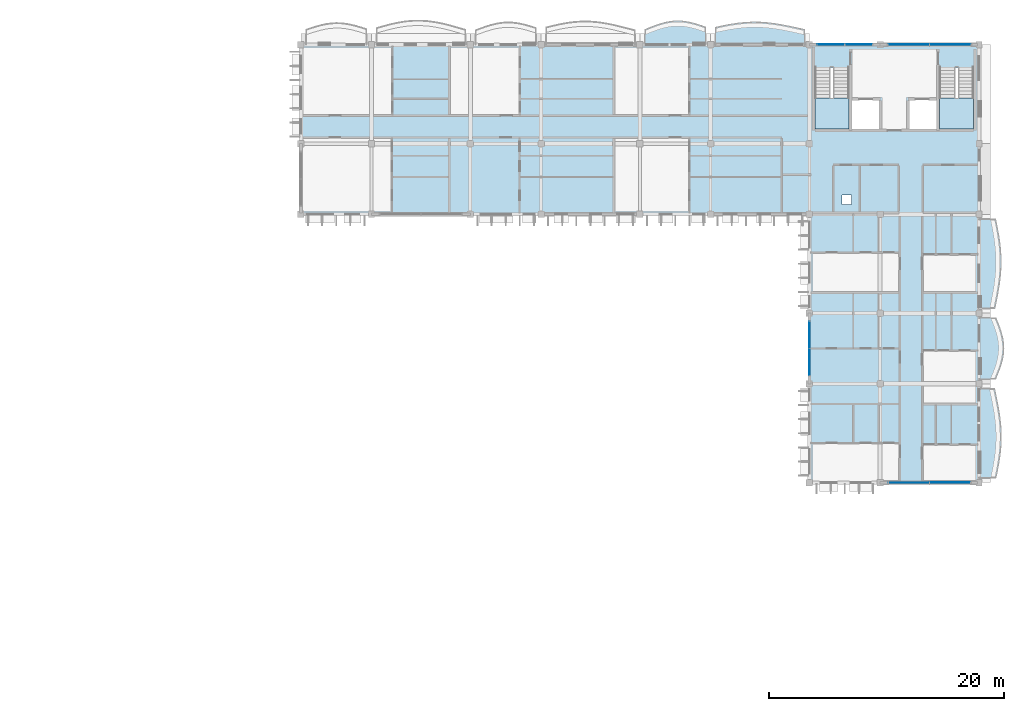
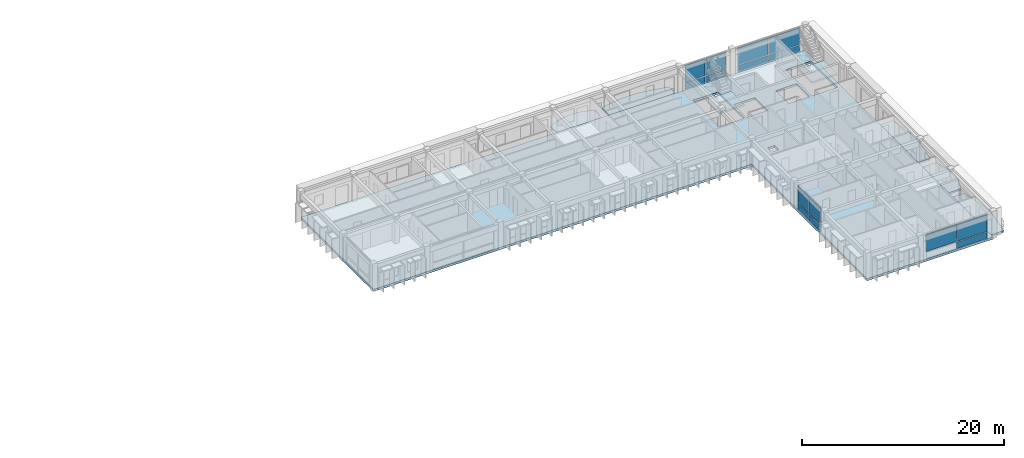
# One storey, part 9 of 31: 15 plates, 8 slabs, 6 elements without a shape of their own.
"""IFC4 building model written with IfcOpenShell, lengths in metres."""

from ifc_helpers import new_model, si_unit, direction, frame, origin, origin_2d, place, context, subcontext, project, spatial, polyline, rectangle, outline, extrude, material, layer, layer_set, type_object, element, aggregate, save


model = new_model("IFC4")

# Units and contexts
model_context = context("Model", 3, precision=1e-05, world=origin(), true_north=direction((0.0, 1.0)))
body_context = subcontext(model_context, "Body", "Model", "MODEL_VIEW")
ifc_project = project(units=[si_unit("LENGTHUNIT", "METRE"), si_unit("AREAUNIT", "SQUARE_METRE"), si_unit("VOLUMEUNIT", "CUBIC_METRE"), si_unit("PLANEANGLEUNIT", "RADIAN"), si_unit("MASSUNIT", "GRAM", prefix="KILO"), si_unit("THERMODYNAMICTEMPERATUREUNIT", "KELVIN")], contexts=[model_context])

# Site, building, storey
site_placement = place(None, origin())
site = spatial("IfcSite", under=ifc_project, at=site_placement, CompositionType="ELEMENT")
building_placement = place(site_placement, origin())
building = spatial("IfcBuilding", under=site, at=building_placement, Name="Thalorik Housing Commons", CompositionType="ELEMENT")
storey_placement = place(building_placement, frame((0.0, 0.0, 37.800048828125)))
storey = spatial("IfcBuildingStorey", under=building, at=storey_placement, Name="L11", CompositionType="ELEMENT", Elevation=37.800048828125)

# Curtain wall, plates
ifc_material_1 = material(Name="Anodised aluminium and solar-control low-E glass", Category="aluminium")
curtain_wall_type_1 = type_object("IfcCurtainWallType", Name="ARC-CW-CORE", PredefinedType="USERDEFINED", material=ifc_material_1)
curtain_wall_1_placement = place(storey_placement, origin())
curtain_wall_1 = element("IfcCurtainWall", 1, at=curtain_wall_1_placement, inside=storey, type_object=curtain_wall_type_1, Name="L11 Curtain Wall CW-CORE-L11-B-119", ObjectType="CURTAIN WALL", PredefinedType="USERDEFINED")
ifc_material_2 = material(Name="Cobalt blue enamelled aluminium spandrel panel", Category="aluminium")
ifc_layer_1 = layer(ifc_material_2, 0.0458984375, Name="Cobalt blue enamelled aluminium spandrel panel", Category="aluminium")
ifc_layer_set_1 = layer_set([ifc_layer_1], Name="Cobalt blue enamelled aluminium spandrel panel")
plate_type_1 = type_object("IfcPlateType", Name="ARC-CP-BLU-46", PredefinedType="CURTAIN_PANEL", material=ifc_layer_set_1)
plate_1_placement = place(storey_placement, frame((156.574951171875, 123.60009765625, 0.080078125), z_axis=(0.0, 0.0, 1.0), x_axis=(-1.0, 0.0, 0.0)))
plate_1 = element("IfcPlate", 2, at=plate_1_placement, type_object=plate_type_1, Name="CW-CORE-L11-B-119 Spandrel Panel 1", PredefinedType="CURTAIN_PANEL", context=body_context, shape_type="SweptSolid", body=[
    extrude(rectangle(XDim=2.2900390625, YDim=0.0458984375, at=origin_2d()), origin(), (0.0, 0.0, 1.0), 0.760009765625),
])
plate_2_placement = place(storey_placement, frame((154.22509765625, 123.60009765625, 0.080078125), z_axis=(0.0, 0.0, 1.0), x_axis=(-1.0, 0.0, 0.0)))
plate_2 = element("IfcPlate", 3, at=plate_2_placement, type_object=plate_type_1, Name="CW-CORE-L11-B-119 Spandrel Panel 2", PredefinedType="CURTAIN_PANEL", context=body_context, shape_type="SweptSolid", body=[
    extrude(rectangle(XDim=2.2900390625, YDim=0.0458984375, at=origin_2d()), origin(), (0.0, 0.0, 1.0), 0.760009765625),
])

curtain_wall_2_placement = place(storey_placement, origin())
curtain_wall_2 = element("IfcCurtainWall", 4, at=curtain_wall_2_placement, inside=storey, type_object=curtain_wall_type_1, Name="L11 Curtain Wall CW-CORE-L11-B-118", ObjectType="CURTAIN WALL", PredefinedType="USERDEFINED")
ifc_material_3 = material(Name="Double solar-control low-E glass", Category="glass")
ifc_layer_2 = layer(ifc_material_3, 0.028076171875, Name="Double solar-control low-E glass", Category="glass")
ifc_layer_set_2 = layer_set([ifc_layer_2], Name="Double solar-control low-E glass")
plate_type_2 = type_object("IfcPlateType", Name="ARC-CP-GLZ-28", PredefinedType="CURTAIN_PANEL", material=ifc_layer_set_2)
plate_3_placement = place(storey_placement, frame((164.375, 123.60009765625, 0.919921875), z_axis=(0.0, 0.0, 1.0), x_axis=(-1.0, 0.0, 0.0)))
plate_3 = element("IfcPlate", 5, at=plate_3_placement, type_object=plate_type_2, Name="CW-CORE-L11-B-118 Vision Panel 1", PredefinedType="CURTAIN_PANEL", context=body_context, shape_type="SweptSolid", body=[
    extrude(rectangle(XDim=3.489990234375, YDim=0.028076171875, at=origin_2d()), origin(), (0.0, 0.0, 1.0), 2.0400390625),
])
plate_4_placement = place(storey_placement, frame((160.824951171875, 123.60009765625, 0.919921875), z_axis=(0.0, 0.0, 1.0), x_axis=(-1.0, 0.0, 0.0)))
plate_4 = element("IfcPlate", 6, at=plate_4_placement, type_object=plate_type_2, Name="CW-CORE-L11-B-118 Vision Panel 2", PredefinedType="CURTAIN_PANEL", context=body_context, shape_type="SweptSolid", body=[
    extrude(rectangle(XDim=3.489990234375, YDim=0.028076171875, at=origin_2d()), origin(), (0.0, 0.0, 1.0), 2.0400390625),
])

# Plate
plate_5_placement = place(storey_placement, frame((156.574951171875, 123.60009765625, 0.919921875), z_axis=(0.0, 0.0, 1.0), x_axis=(-1.0, 0.0, 0.0)))
plate_5 = element("IfcPlate", 7, at=plate_5_placement, type_object=plate_type_2, Name="CW-CORE-L11-B-119 Vision Panel 1", PredefinedType="CURTAIN_PANEL", context=body_context, shape_type="SweptSolid", body=[
    extrude(rectangle(XDim=2.2900390625, YDim=0.028076171875, at=origin_2d()), origin(), (0.0, 0.0, 1.0), 2.0400390625),
])

plate_6_placement = place(storey_placement, frame((154.22509765625, 123.60009765625, 0.919921875), z_axis=(0.0, 0.0, 1.0), x_axis=(-1.0, 0.0, 0.0)))
plate_6 = element("IfcPlate", 8, at=plate_6_placement, type_object=plate_type_2, Name="CW-CORE-L11-B-119 Vision Panel 2", PredefinedType="CURTAIN_PANEL", context=body_context, shape_type="SweptSolid", body=[
    extrude(rectangle(XDim=2.2900390625, YDim=0.028076171875, at=origin_2d()), origin(), (0.0, 0.0, 1.0), 2.0400390625),
])

aggregate(curtain_wall_1, [plate_1, plate_5, plate_2, plate_6])

# Curtain wall, plates
curtain_wall_type_2 = type_object("IfcCurtainWallType", Name="ARC-CW-LOUNGE", PredefinedType="USERDEFINED", material=ifc_material_1)
curtain_wall_3_placement = place(storey_placement, origin())
curtain_wall_3 = element("IfcCurtainWall", 9, at=curtain_wall_3_placement, inside=storey, type_object=curtain_wall_type_2, Name="L11 Curtain Wall CW-RES-L11-B-122", ObjectType="CURTAIN WALL", PredefinedType="USERDEFINED")
plate_7_placement = place(storey_placement, frame((152.39990234375, 98.949951171875, 0.919921875), z_axis=(0.0, 0.0, 1.0), x_axis=(0.0, -1.0, 0.0)))
plate_7 = element("IfcPlate", 10, at=plate_7_placement, type_object=plate_type_2, Name="CW-RES-L11-B-122 Vision Panel 1", PredefinedType="CURTAIN_PANEL", context=body_context, shape_type="SweptSolid", body=[
    extrude(rectangle(XDim=2.239990234375, YDim=0.028076171875, at=origin_2d()), origin(), (0.0, 0.0, 1.0), 2.0400390625),
])
plate_8_placement = place(storey_placement, frame((152.39990234375, 96.64990234375, 0.919921875), z_axis=(0.0, 0.0, 1.0), x_axis=(0.0, -1.0, 0.0)))
plate_8 = element("IfcPlate", 11, at=plate_8_placement, type_object=plate_type_2, Name="CW-RES-L11-B-122 Vision Panel 2", PredefinedType="CURTAIN_PANEL", context=body_context, shape_type="SweptSolid", body=[
    extrude(rectangle(XDim=2.239990234375, YDim=0.028076171875, at=origin_2d()), origin(), (0.0, 0.0, 1.0), 2.0400390625),
])

curtain_wall_4_placement = place(storey_placement, origin())
curtain_wall_4 = element("IfcCurtainWall", 12, at=curtain_wall_4_placement, inside=storey, type_object=curtain_wall_type_2, Name="L11 Curtain Wall CW-RES-L11-B-123", ObjectType="CURTAIN WALL", PredefinedType="USERDEFINED")
plate_9_placement = place(storey_placement, frame((160.85009765625, 86.39990234375, 0.919921875), z_axis=(0.0, 0.0, 1.0), x_axis=(1.0, 0.0, 0.0)))
plate_9 = element("IfcPlate", 13, at=plate_9_placement, type_object=plate_type_2, Name="CW-RES-L11-B-123 Vision Panel 1", PredefinedType="CURTAIN_PANEL", context=body_context, shape_type="SweptSolid", body=[
    extrude(rectangle(XDim=3.43994140625, YDim=0.028076171875, at=origin_2d()), origin(), (0.0, 0.0, 1.0), 2.0400390625),
])
plate_10_placement = place(storey_placement, frame((164.35009765625, 86.39990234375, 0.919921875), z_axis=(0.0, 0.0, 1.0), x_axis=(1.0, 0.0, 0.0)))
plate_10 = element("IfcPlate", 14, at=plate_10_placement, type_object=plate_type_2, Name="CW-RES-L11-B-123 Vision Panel 2", PredefinedType="CURTAIN_PANEL", context=body_context, shape_type="SweptSolid", body=[
    extrude(rectangle(XDim=3.43994140625, YDim=0.028076171875, at=origin_2d()), origin(), (0.0, 0.0, 1.0), 2.0400390625),
])

# Plate
ifc_material_4 = material(Name="Oxide red enamelled aluminium spandrel panel", Category="aluminium")
ifc_layer_3 = layer(ifc_material_4, 0.0419921875, Name="Oxide red enamelled aluminium spandrel panel", Category="aluminium")
ifc_layer_set_3 = layer_set([ifc_layer_3], Name="Oxide red enamelled aluminium spandrel panel")
plate_type_3 = type_object("IfcPlateType", Name="ARC-CP-RED-42", PredefinedType="CURTAIN_PANEL", material=ifc_layer_set_3)
plate_11_placement = place(storey_placement, frame((164.375, 123.60009765625, 0.080078125), z_axis=(0.0, 0.0, 1.0), x_axis=(-1.0, 0.0, 0.0)))
plate_11 = element("IfcPlate", 15, at=plate_11_placement, type_object=plate_type_3, Name="CW-CORE-L11-B-118 Spandrel Panel 1", PredefinedType="CURTAIN_PANEL", context=body_context, shape_type="SweptSolid", body=[
    extrude(rectangle(XDim=3.489990234375, YDim=0.0419921875, at=origin_2d()), origin(), (0.0, 0.0, 1.0), 0.760009765625),
])

plate_12_placement = place(storey_placement, frame((160.824951171875, 123.60009765625, 0.080078125), z_axis=(0.0, 0.0, 1.0), x_axis=(-1.0, 0.0, 0.0)))
plate_12 = element("IfcPlate", 16, at=plate_12_placement, type_object=plate_type_3, Name="CW-CORE-L11-B-118 Spandrel Panel 2", PredefinedType="CURTAIN_PANEL", context=body_context, shape_type="SweptSolid", body=[
    extrude(rectangle(XDim=3.489990234375, YDim=0.0419921875, at=origin_2d()), origin(), (0.0, 0.0, 1.0), 0.760009765625),
])

aggregate(curtain_wall_2, [plate_11, plate_3, plate_12, plate_4])

ifc_material_5 = material(Name="Mineral ochre yellow aluminium spandrel panel", Category="aluminium")
ifc_layer_4 = layer(ifc_material_5, 0.050048828125, Name="Mineral ochre yellow aluminium spandrel panel", Category="aluminium")
ifc_layer_set_4 = layer_set([ifc_layer_4], Name="Mineral ochre yellow aluminium spandrel panel")
plate_type_4 = type_object("IfcPlateType", Name="ARC-CP-YEL-50", PredefinedType="CURTAIN_PANEL", material=ifc_layer_set_4)
plate_13_placement = place(storey_placement, frame((152.39990234375, 98.949951171875, 0.080078125), z_axis=(0.0, 0.0, 1.0), x_axis=(0.0, -1.0, 0.0)))
plate_13 = element("IfcPlate", 17, at=plate_13_placement, type_object=plate_type_4, Name="CW-RES-L11-B-122 Spandrel Panel 1", PredefinedType="CURTAIN_PANEL", context=body_context, shape_type="SweptSolid", body=[
    extrude(rectangle(XDim=2.239990234375, YDim=0.050048828125, at=origin_2d()), origin(), (0.0, 0.0, 1.0), 0.760009765625),
])

plate_14_placement = place(storey_placement, frame((152.39990234375, 96.64990234375, 0.080078125), z_axis=(0.0, 0.0, 1.0), x_axis=(0.0, -1.0, 0.0)))
plate_14 = element("IfcPlate", 18, at=plate_14_placement, type_object=plate_type_4, Name="CW-RES-L11-B-122 Spandrel Panel 2", PredefinedType="CURTAIN_PANEL", context=body_context, shape_type="SweptSolid", body=[
    extrude(rectangle(XDim=2.239990234375, YDim=0.050048828125, at=origin_2d()), origin(), (0.0, 0.0, 1.0), 0.760009765625),
])

aggregate(curtain_wall_3, [plate_13, plate_7, plate_14, plate_8])

plate_15_placement = place(storey_placement, frame((164.35009765625, 86.39990234375, 0.080078125), z_axis=(0.0, 0.0, 1.0), x_axis=(1.0, 0.0, 0.0)))
plate_15 = element("IfcPlate", 19, at=plate_15_placement, type_object=plate_type_4, Name="CW-RES-L11-B-123 Spandrel Panel 2", PredefinedType="CURTAIN_PANEL", context=body_context, shape_type="SweptSolid", body=[
    extrude(rectangle(XDim=3.43994140625, YDim=0.050048828125, at=origin_2d()), origin(), (0.0, 0.0, 1.0), 0.760009765625),
])

aggregate(curtain_wall_4, [plate_9, plate_15, plate_10])

# Stair, slab
ifc_material_6 = material(Name="Precast concrete C40/50", Category="concrete")
stair_type = type_object("IfcStairType", Name="ARC-STR-1350-R20", PredefinedType="HALF_TURN_STAIR", material=ifc_material_6)
stair_1_placement = place(storey_placement, origin())
stair_1 = element("IfcStair", 20, at=stair_1_placement, inside=storey, type_object=stair_type, Name="L11 Block B Smoke-Proof Stair 1", PredefinedType="HALF_TURN_STAIR")
ifc_layer_5 = layer(ifc_material_6, 0.199951171875, Name="Precast concrete C40/50", Category="concrete")
ifc_layer_set_5 = layer_set([ifc_layer_5], Name="Precast concrete C40/50")
slab_type_1 = type_object("IfcSlabType", Name="ARC-SLB-STLND-200", PredefinedType="LANDING", material=ifc_layer_set_5)
slab_1_placement = place(storey_placement, frame((0.0, 0.0, 1.449951171875)))
slab_1 = element("IfcSlab", 21, at=slab_1_placement, type_object=slab_type_1, Name="ST-B1 landing 1", PredefinedType="LANDING", context=body_context, shape_type="SweptSolid", body=[
    extrude(outline(polyline([(152.85009765625, 119.090087890625), (152.85009765625, 116.449951171875), (155.75, 116.449951171875), (155.75, 119.090087890625), (152.85009765625, 119.090087890625)])), origin(), (0.0, 0.0, 1.0), 0.199951171875),
])
aggregate(stair_1, [slab_1])

stair_2_placement = place(storey_placement, origin())
stair_2 = element("IfcStair", 22, at=stair_2_placement, inside=storey, type_object=stair_type, Name="L11 Block B Smoke-Proof Stair 2", PredefinedType="HALF_TURN_STAIR")
slab_2_placement = place(storey_placement, frame((0.0, 0.0, 1.449951171875)))
slab_2 = element("IfcSlab", 23, at=slab_2_placement, type_object=slab_type_1, Name="ST-B2 landing 1", PredefinedType="LANDING", context=body_context, shape_type="SweptSolid", body=[
    extrude(outline(polyline([(163.449951171875, 119.090087890625), (163.449951171875, 116.449951171875), (166.35009765625, 116.449951171875), (166.35009765625, 119.090087890625), (163.449951171875, 119.090087890625)])), origin(), (0.0, 0.0, 1.0), 0.199951171875),
])
aggregate(stair_2, [slab_2])

# Slabs
ifc_layer_6 = layer(ifc_material_6, 0.199951171875, Name="Precast concrete C40/50", Category="concrete")
ifc_layer_set_6 = layer_set([ifc_layer_6], Name="Precast concrete C40/50")
slab_type_2 = type_object("IfcSlabType", Name="STR-SLB-BALC-200", PredefinedType="FLOOR", material=ifc_layer_set_6)
slab_3_placement = place(storey_placement, frame((0.0, 0.0, -0.199951171875)))
element("IfcSlab", 24, at=slab_3_placement, inside=storey, type_object=slab_type_2, Name="L11 Block B Cushion Balcony 237", PredefinedType="FLOOR", context=body_context, shape_type="SweptSolid", body=[
    extrude(outline(polyline([(138.419921875, 123.60009765625), (143.580078125, 123.60009765625), (143.580078125, 125.0859375), (143.14990234375, 125.23828125), (142.719970703125, 125.3759765625), (142.2900390625, 125.489013671875), (141.860107421875, 125.56982421875), (141.429931640625, 125.61181640625), (141.0, 125.61181640625), (140.570068359375, 125.569091796875), (140.139892578125, 125.485595703125), (139.7099609375, 125.366455078125), (139.280029296875, 125.218994140625), (138.85009765625, 125.052978515625), (138.419921875, 124.87841796875), (138.419921875, 123.60009765625)])), origin(), (0.0, 0.0, 1.0), 0.199951171875),
])
slab_4_placement = place(storey_placement, frame((0.0, 0.0, -0.199951171875)))
element("IfcSlab", 25, at=slab_4_placement, inside=storey, type_object=slab_type_2, Name="L11 Block B Cushion Balcony 240", PredefinedType="FLOOR", context=body_context, shape_type="SweptSolid", body=[
    extrude(outline(polyline([(168.205810546875, 95.219970703125), (168.384521484375, 95.64990234375), (168.55078125, 96.080078125), (168.693115234375, 96.510009765625), (168.802978515625, 96.93994140625), (168.873291015625, 97.3701171875), (168.89892578125, 97.800048828125), (168.87890625, 98.22998046875), (168.814453125, 98.659912109375), (168.709716796875, 99.090087890625), (168.572021484375, 99.52001953125), (168.40966796875, 99.949951171875), (168.23388671875, 100.3798828125), (166.800048828125, 100.3798828125), (166.800048828125, 95.219970703125), (168.205810546875, 95.219970703125)])), origin(), (0.0, 0.0, 1.0), 0.199951171875),
])
ifc_layer_7 = layer(ifc_material_6, 0.219970703125, Name="Precast concrete C40/50", Category="concrete")
ifc_layer_set_7 = layer_set([ifc_layer_7], Name="Precast concrete C40/50")
slab_type_3 = type_object("IfcSlabType", Name="STR-SLB-BALC-220", PredefinedType="FLOOR", material=ifc_layer_set_7)
slab_5_placement = place(storey_placement, frame((0.0, 0.0, -0.219970703125)))
element("IfcSlab", 26, at=slab_5_placement, inside=storey, type_object=slab_type_3, Name="L11 Block B Cushion Balcony 238", PredefinedType="FLOOR", context=body_context, shape_type="SweptSolid", body=[
    extrude(outline(polyline([(144.419921875, 123.60009765625), (151.97998046875, 123.60009765625), (151.97998046875, 124.880615234375), (151.35009765625, 125.020751953125), (150.719970703125, 125.157958984375), (150.090087890625, 125.283203125), (149.4599609375, 125.387939453125), (148.830078125, 125.46484375), (148.199951171875, 125.508544921875), (147.570068359375, 125.51611328125), (146.93994140625, 125.486572265625), (146.31005859375, 125.421875), (145.679931640625, 125.326171875), (145.050048828125, 125.205810546875), (144.419921875, 125.06884765625), (144.419921875, 123.60009765625)])), origin(), (0.0, 0.0, 1.0), 0.219970703125),
])
slab_6_placement = place(storey_placement, frame((0.0, 0.0, -0.219970703125)))
element("IfcSlab", 27, at=slab_6_placement, inside=storey, type_object=slab_type_3, Name="L11 Block B Cushion Balcony 239", PredefinedType="FLOOR", context=body_context, shape_type="SweptSolid", body=[
    extrude(outline(polyline([(168.236328125, 86.820068359375), (168.365478515625, 87.449951171875), (168.481201171875, 88.080078125), (168.575439453125, 88.7099609375), (168.64208984375, 89.340087890625), (168.677001953125, 89.969970703125), (168.677978515625, 90.60009765625), (168.644775390625, 91.22998046875), (168.580078125, 91.860107421875), (168.488037109375, 92.489990234375), (168.375244140625, 93.1201171875), (168.248779296875, 93.75), (168.117919921875, 94.3798828125), (166.800048828125, 94.3798828125), (166.800048828125, 86.820068359375), (168.236328125, 86.820068359375)])), origin(), (0.0, 0.0, 1.0), 0.219970703125),
])
slab_7_placement = place(storey_placement, frame((0.0, 0.0, -0.219970703125)))
element("IfcSlab", 28, at=slab_7_placement, inside=storey, type_object=slab_type_3, Name="L11 Block B Cushion Balcony 241", PredefinedType="FLOOR", context=body_context, shape_type="SweptSolid", body=[
    extrude(outline(polyline([(168.147216796875, 101.219970703125), (168.27490234375, 101.85009765625), (168.3955078125, 102.47998046875), (168.501220703125, 103.110107421875), (168.5849609375, 103.739990234375), (168.64111328125, 104.3701171875), (168.666015625, 105.0), (168.657958984375, 105.6298828125), (168.6171875, 106.260009765625), (168.54638671875, 106.889892578125), (168.4501953125, 107.52001953125), (168.335205078125, 108.14990234375), (168.208740234375, 108.780029296875), (166.800048828125, 108.780029296875), (166.800048828125, 101.219970703125), (168.147216796875, 101.219970703125)])), origin(), (0.0, 0.0, 1.0), 0.219970703125),
])
ifc_material_7 = material(Name="Precast concrete C45/55", Category="concrete")
ifc_layer_8 = layer(ifc_material_7, 0.260009765625, Name="Precast concrete C45/55", Category="concrete")
ifc_layer_set_8 = layer_set([ifc_layer_8], Name="Precast concrete C45/55")
slab_type_4 = type_object("IfcSlabType", Name="STR-SLB-HC-260", PredefinedType="FLOOR", material=ifc_layer_set_8)
slab_8_placement = place(storey_placement, frame((0.0, 0.0, -0.260009765625)))
element("IfcSlab", 29, at=slab_8_placement, inside=storey, type_object=slab_type_4, Name="L11 Residential Block B Floor Slab", PredefinedType="FLOOR", context=body_context, shape_type="SweptSolid", body=[
    extrude(outline(polyline([(109.199951171875, 109.199951171875), (152.39990234375, 109.199951171875), (152.39990234375, 86.39990234375), (166.800048828125, 86.39990234375), (166.800048828125, 109.199951171875), (166.800048828125, 123.60009765625), (109.199951171875, 123.60009765625), (109.199951171875, 109.199951171875)]), holes=[polyline([(152.85009765625, 121.64990234375), (155.75, 121.64990234375), (155.75, 116.449951171875), (152.85009765625, 116.449951171875), (152.85009765625, 121.64990234375)]), polyline([(166.35009765625, 121.64990234375), (166.35009765625, 116.449951171875), (163.449951171875, 116.449951171875), (163.449951171875, 121.64990234375), (166.35009765625, 121.64990234375)]), polyline([(158.39990234375, 119.0), (158.39990234375, 116.449951171875), (156.0, 116.449951171875), (156.0, 119.0), (158.39990234375, 119.0)]), polyline([(163.199951171875, 116.449951171875), (160.800048828125, 116.449951171875), (160.800048828125, 119.0), (163.199951171875, 119.0), (163.199951171875, 116.449951171875)]), polyline([(155.14990234375, 110.050048828125), (155.14990234375, 110.85009765625), (155.949951171875, 110.85009765625), (155.949951171875, 110.050048828125), (155.14990234375, 110.050048828125)])]), origin(), (0.0, 0.0, 1.0), 0.260009765625),
])

save(model, "model.ifc")
